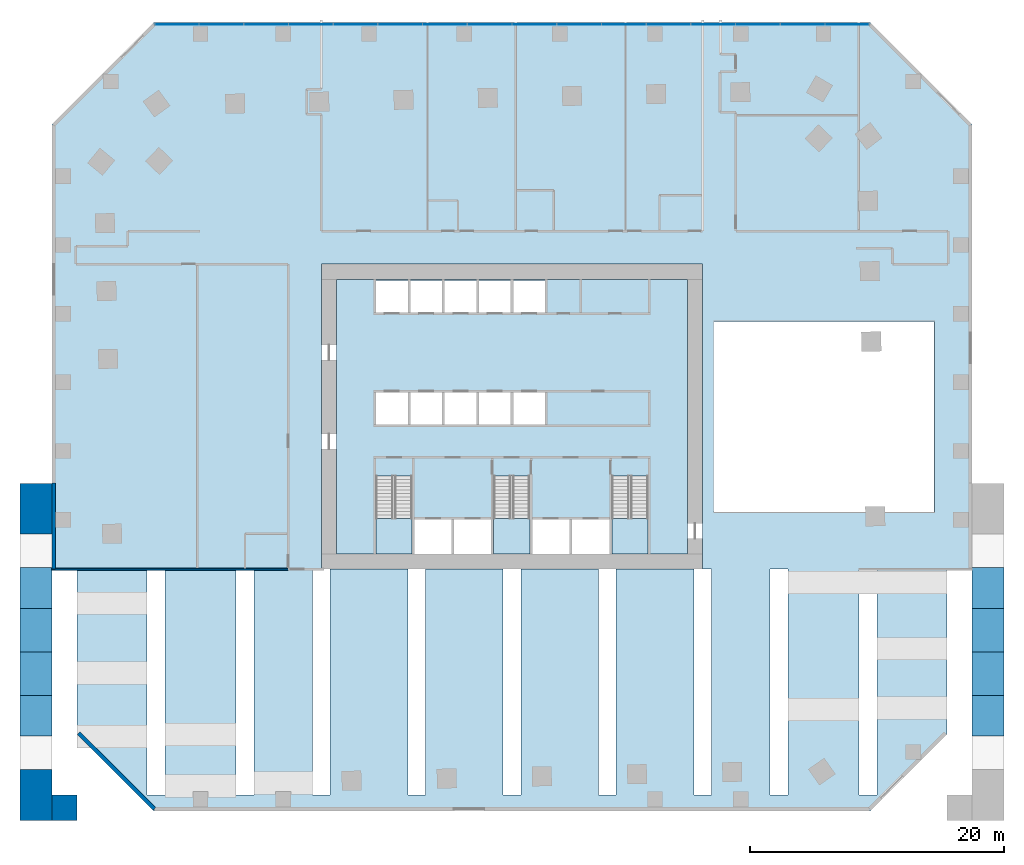
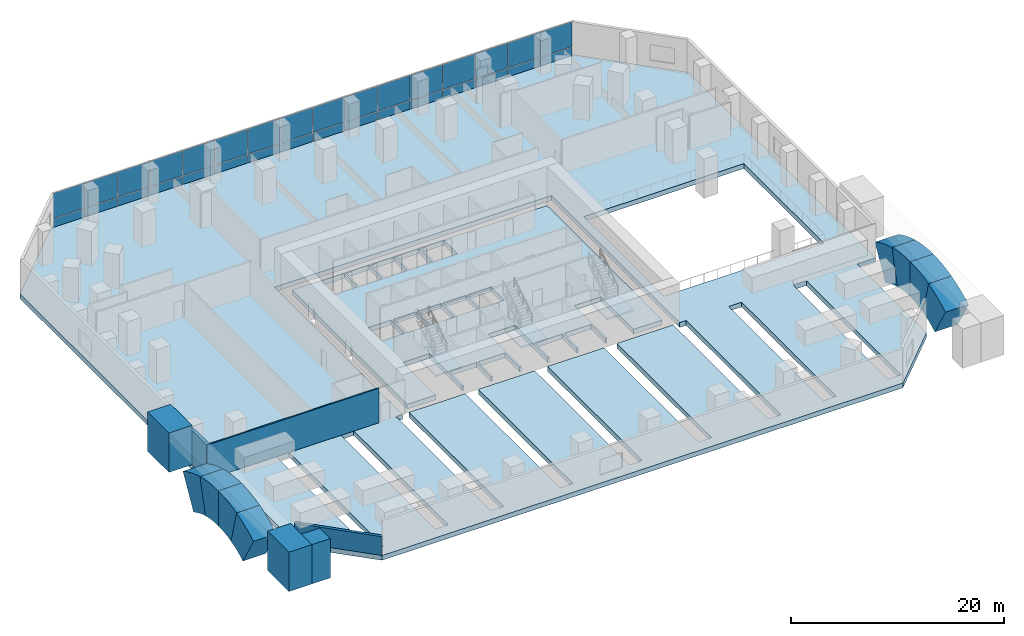
# One storey, part 6 of 13: 40 plates, 6 walls, 5 slabs, 4 elements without a shape of their own.
"""IFC4 building model written with IfcOpenShell, lengths in metres."""

from ifc_helpers import new_model, si_unit, direction, frame, frame_2d, origin, origin_2d, place, context, subcontext, project, spatial, polyline, rectangle, outline, extrude, material, layer, layer_set, type_object, element, aggregate, save


model = new_model("IFC4")

# Units and contexts
model_context = context("Model", 3, precision=1e-05, world=origin(), true_north=direction((0.0, 1.0)))
body_context = subcontext(model_context, "Body", "Model", "MODEL_VIEW")
ifc_project = project(units=[si_unit("LENGTHUNIT", "METRE"), si_unit("AREAUNIT", "SQUARE_METRE"), si_unit("VOLUMEUNIT", "CUBIC_METRE"), si_unit("PLANEANGLEUNIT", "RADIAN"), si_unit("MASSUNIT", "GRAM", prefix="KILO")], contexts=[model_context])

# Site, building, storey
site_placement = place(None, origin())
site = spatial("IfcSite", under=ifc_project, at=site_placement, CompositionType="ELEMENT")
building_placement = place(site_placement, origin())
building = spatial("IfcBuilding", under=site, at=building_placement, Name="Mangrove Gate Tower", CompositionType="ELEMENT")
storey_placement = place(building_placement, frame((0.0, 0.0, 20.5)))
storey = spatial("IfcBuildingStorey", under=building, at=storey_placement, Name="L04", CompositionType="ELEMENT", Elevation=20.5)

# Slab
ifc_material_1 = material(Name="Concrete C40/50", Category="concrete")
ifc_layer_1 = layer(ifc_material_1, 0.550048828125)
ifc_layer_set_1 = layer_set([ifc_layer_1], Name="Core floor slab 550 C40/50")
slab_type_1 = type_object("IfcSlabType", Name="Core floor slab 550 C40/50", PredefinedType="FLOOR", material=ifc_layer_set_1)
slab_1_placement = place(storey_placement, frame((0.0, 0.0, -0.550048828125)))
element("IfcSlab", 1, at=slab_1_placement, inside=storey, type_object=slab_type_1, Name="SLAB-L04-CORE-1", PredefinedType="FLOOR", context=body_context, shape_type="SweptSolid", body=[
    extrude(outline(polyline([(-13.800048828125, -10.800048828125), (-13.800048828125, 10.800048828125), (13.800048828125, 10.800048828125), (13.800048828125, -10.800048828125), (10.699951171875, -10.800048828125), (10.699951171875, -4.653076171875), (7.85009765625, -4.653076171875), (7.85009765625, -10.800048828125), (7.64990234375, -10.800048828125), (7.64990234375, -8.10009765625), (4.72509765625, -8.10009765625), (4.72509765625, -10.800048828125), (4.52490234375, -10.800048828125), (4.52490234375, -8.10009765625), (1.60009765625, -8.10009765625), (1.60009765625, -10.800048828125), (1.39990234375, -10.800048828125), (1.39990234375, -4.653076171875), (-1.449951171875, -4.653076171875), (-1.449951171875, -10.800048828125), (-1.64990234375, -10.800048828125), (-1.64990234375, -8.10009765625), (-4.550048828125, -8.10009765625), (-4.550048828125, -10.800048828125), (-4.75, -10.800048828125), (-4.75, -8.10009765625), (-7.64990234375, -8.10009765625), (-7.64990234375, -10.800048828125), (-7.85009765625, -10.800048828125), (-7.85009765625, -4.653076171875), (-10.699951171875, -4.653076171875), (-10.699951171875, -10.800048828125), (-13.800048828125, -10.800048828125)]), holes=[polyline([(-8.199951171875, -0.60009765625), (-8.199951171875, 1.89990234375), (-10.699951171875, 1.89990234375), (-10.699951171875, -0.60009765625), (-8.199951171875, -0.60009765625)]), polyline([(-5.5, -0.60009765625), (-5.5, 1.89990234375), (-8.0, 1.89990234375), (-8.0, -0.60009765625), (-5.5, -0.60009765625)]), polyline([(-2.800048828125, -0.60009765625), (-2.800048828125, 1.89990234375), (-5.300048828125, 1.89990234375), (-5.300048828125, -0.60009765625), (-2.800048828125, -0.60009765625)]), polyline([(-8.199951171875, 8.199951171875), (-8.199951171875, 10.699951171875), (-10.699951171875, 10.699951171875), (-10.699951171875, 8.199951171875), (-8.199951171875, 8.199951171875)]), polyline([(-5.5, 8.199951171875), (-5.5, 10.699951171875), (-8.0, 10.699951171875), (-8.0, 8.199951171875), (-5.5, 8.199951171875)]), polyline([(-2.800048828125, 8.199951171875), (-2.800048828125, 10.699951171875), (-5.300048828125, 10.699951171875), (-5.300048828125, 8.199951171875), (-2.800048828125, 8.199951171875)]), polyline([(-0.10009765625, -0.60009765625), (-0.10009765625, 1.89990234375), (-2.60009765625, 1.89990234375), (-2.60009765625, -0.60009765625), (-0.10009765625, -0.60009765625)]), polyline([(2.60009765625, -0.60009765625), (2.60009765625, 1.89990234375), (0.10009765625, 1.89990234375), (0.10009765625, -0.60009765625), (2.60009765625, -0.60009765625)]), polyline([(-2.60009765625, 8.199951171875), (-0.10009765625, 8.199951171875), (-0.10009765625, 10.699951171875), (-2.60009765625, 10.699951171875), (-2.60009765625, 8.199951171875)]), polyline([(0.10009765625, 8.199951171875), (2.60009765625, 8.199951171875), (2.60009765625, 10.699951171875), (0.10009765625, 10.699951171875), (0.10009765625, 8.199951171875)])]), origin(), (0.0, 0.0, 1.0), 0.550048828125),
])

# Stair, slab
ifc_material_2 = material(Name="Concrete C40/50", Category="concrete")
stair_type = type_object("IfcStairType", Name="Core stair 1350", PredefinedType="HALF_TURN_STAIR", material=ifc_material_2)
stair_1_placement = place(storey_placement, origin())
stair_1 = element("IfcStair", 2, at=stair_1_placement, inside=storey, type_object=stair_type, Name="L04 Stair 1", PredefinedType="HALF_TURN_STAIR")
ifc_material_3 = material(Name="Concrete C40/50", Category="concrete")
ifc_layer_2 = layer(ifc_material_3, 0.199951171875)
ifc_layer_set_2 = layer_set([ifc_layer_2], Name="Core stair landing 200")
slab_type_2 = type_object("IfcSlabType", Name="Core stair landing 200", PredefinedType="LANDING", material=ifc_layer_set_2)
slab_2_placement = place(storey_placement, frame((0.0, 0.0, 2.050048828125)))
slab_2 = element("IfcSlab", 3, at=slab_2_placement, type_object=slab_type_2, Name="ST1 landing 1", PredefinedType="LANDING", context=body_context, shape_type="SweptSolid", body=[
    extrude(outline(polyline([(-10.699951171875, -8.010009765625), (-10.699951171875, -10.800048828125), (-7.85009765625, -10.800048828125), (-7.85009765625, -8.010009765625), (-10.699951171875, -8.010009765625)])), origin(), (0.0, 0.0, 1.0), 0.199951171875),
])
aggregate(stair_1, [slab_2])

stair_2_placement = place(storey_placement, origin())
stair_2 = element("IfcStair", 4, at=stair_2_placement, inside=storey, type_object=stair_type, Name="L04 Stair 2", PredefinedType="HALF_TURN_STAIR")
slab_3_placement = place(storey_placement, frame((0.0, 0.0, 2.050048828125)))
slab_3 = element("IfcSlab", 5, at=slab_3_placement, type_object=slab_type_2, Name="ST2 landing 1", PredefinedType="LANDING", context=body_context, shape_type="SweptSolid", body=[
    extrude(outline(polyline([(-1.449951171875, -8.010009765625), (-1.449951171875, -10.800048828125), (1.39990234375, -10.800048828125), (1.39990234375, -8.010009765625), (-1.449951171875, -8.010009765625)])), origin(), (0.0, 0.0, 1.0), 0.199951171875),
])
aggregate(stair_2, [slab_3])

stair_3_placement = place(storey_placement, origin())
stair_3 = element("IfcStair", 6, at=stair_3_placement, inside=storey, type_object=stair_type, Name="L04 Stair 3", PredefinedType="HALF_TURN_STAIR")
slab_4_placement = place(storey_placement, frame((0.0, 0.0, 2.050048828125)))
slab_4 = element("IfcSlab", 7, at=slab_4_placement, type_object=slab_type_2, Name="ST3 landing 1", PredefinedType="LANDING", context=body_context, shape_type="SweptSolid", body=[
    extrude(outline(polyline([(7.85009765625, -8.010009765625), (7.85009765625, -10.800048828125), (10.699951171875, -10.800048828125), (10.699951171875, -8.010009765625), (7.85009765625, -8.010009765625)])), origin(), (0.0, 0.0, 1.0), 0.199951171875),
])
aggregate(stair_3, [slab_4])

# Slab
ifc_material_4 = material(Name="Concrete C40/50", Category="concrete")
ifc_layer_3 = layer(ifc_material_4, 0.550048828125)
ifc_layer_set_3 = layer_set([ifc_layer_3], Name="Floor slab 550 C40/50")
slab_type_3 = type_object("IfcSlabType", Name="Floor slab 550 C40/50", PredefinedType="FLOOR", material=ifc_layer_set_3)
slab_5_placement = place(storey_placement, frame((0.0, 0.0, -0.550048828125)))
element("IfcSlab", 8, at=slab_5_placement, inside=storey, type_object=slab_type_3, Name="Floor slab L04", PredefinedType="FLOOR", context=body_context, shape_type="SweptSolid", body=[
    extrude(outline(polyline([(-34.199951171875, -12.0), (-34.199951171875, -25.0), (-28.199951171875, -31.0), (28.199951171875, -31.0), (34.199951171875, -25.0), (34.199951171875, -12.0), (36.199951171875, -12.0), (36.199951171875, 23.0), (28.199951171875, 31.0), (-28.199951171875, 31.0), (-36.199951171875, 23.0), (-36.199951171875, -12.0), (-34.199951171875, -12.0)]), holes=[polyline([(15.89990234375, 7.5), (33.199951171875, 7.5), (33.199951171875, -7.5), (15.89990234375, -7.5), (15.89990234375, 7.5)]), polyline([(28.699951171875, -29.75), (27.300048828125, -29.75), (27.300048828125, -12.0), (28.699951171875, -12.0), (28.699951171875, -29.75)]), polyline([(21.699951171875, -12.0), (21.699951171875, -29.75), (20.300048828125, -29.75), (20.300048828125, -12.0), (21.699951171875, -12.0)]), polyline([(-14.300048828125, -29.75), (-15.699951171875, -29.75), (-15.699951171875, -12.0), (-15.0, -12.0), (-15.0, 12.0), (15.0, 12.0), (15.0, -12.0), (15.699951171875, -12.0), (15.699951171875, -29.75), (14.300048828125, -29.75), (14.300048828125, -12.0), (8.199951171875, -12.0), (8.199951171875, -29.75), (6.800048828125, -29.75), (6.800048828125, -12.0), (0.699951171875, -12.0), (0.699951171875, -29.75), (-0.699951171875, -29.75), (-0.699951171875, -12.0), (-6.800048828125, -12.0), (-6.800048828125, -29.75), (-8.199951171875, -29.75), (-8.199951171875, -12.0), (-14.300048828125, -12.0), (-14.300048828125, -29.75)]), polyline([(-20.300048828125, -12.0), (-20.300048828125, -29.75), (-21.699951171875, -29.75), (-21.699951171875, -12.0), (-20.300048828125, -12.0)]), polyline([(-27.300048828125, -12.0), (-27.300048828125, -29.75), (-28.699951171875, -29.75), (-28.699951171875, -12.0), (-27.300048828125, -12.0)])]), origin(), (0.0, 0.0, 1.0), 0.550048828125),
])

# Plates
ifc_material_5 = material(Name="Limestone cladding", Category="masonry")
ifc_layer_4 = layer(ifc_material_5, 2.5)
ifc_layer_set_4 = layer_set([ifc_layer_4], Name="Limestone arch panel")
plate_type_1 = type_object("IfcPlateType", Name="Limestone arch panel", PredefinedType="SHEET", material=ifc_layer_set_4)
plate_1_placement = place(storey_placement, frame((38.699951171875, -13.875, -1.739013671875), z_axis=(1.0, 0.0, 0.0), x_axis=(0.0, 0.49999894854, 0.866026010844)))
element("IfcPlate", 9, at=plate_1_placement, inside=storey, type_object=plate_type_1, Name="ARCH STONE E 5", PredefinedType="SHEET", context=body_context, shape_type="SweptSolid", body=[
    extrude(outline(polyline([(0.0, 0.0), (4.000008412, 0.0), (3.971711747, 0.866884212), (3.886295103, 1.728699282), (3.745425991, 2.584998402), (3.548585761, 3.429843947), (-0.315205552, 2.394101979), (-0.178220016, 1.804783885), (-0.079231528, 1.207059885), (-0.020225915, 0.604857827), (0.0, 0.0)])), origin(), (0.0, 0.0, -1.0), 2.5),
])
plate_2_placement = place(storey_placement, frame((38.699951171875, -16.10595703125, -0.81494140625), z_axis=(1.0, 0.0, 0.0), x_axis=(0.0, 0.25871473031, 0.965953771317)))
element("IfcPlate", 10, at=plate_2_placement, inside=storey, type_object=plate_type_1, Name="ARCH STONE E 6", PredefinedType="SHEET", context=body_context, shape_type="SweptSolid", body=[
    extrude(outline(polyline([(0.0, 0.0), (4.000205586, 0.0), (3.971222201, 0.865979032), (3.886789901, 1.729491527), (3.745830477, 2.58418281), (3.548659743, 3.428873737), (-0.315155342, 2.394014815), (-0.177975925, 1.804452302), (-0.07928703, 1.207613688), (-0.020111958, 0.604488626), (0.0, 0.0)])), origin(), (0.0, 0.0, -1.0), 2.5),
])
plate_3_placement = place(storey_placement, frame((38.699951171875, -18.5, -0.5), z_axis=(1.0, 0.0, 0.0), x_axis=(0.0, 0.0, 1.0)))
element("IfcPlate", 11, at=plate_3_placement, inside=storey, type_object=plate_type_1, Name="ARCH STONE E 7", PredefinedType="SHEET", context=body_context, shape_type="SweptSolid", body=[
    extrude(outline(polyline([(0.0, 0.0), (4.0, 0.0), (3.971923828, 0.866943359), (3.886962891, 1.729003906), (3.745117188, 2.584960938), (3.549072266, 3.428955078), (-0.314941406, 2.394042969), (-0.177978516, 1.804931641), (-0.079101562, 1.20703125), (-0.020019531, 0.604980469), (0.0, 0.0)])), origin(), (0.0, 0.0, -1.0), 2.5),
])
plate_4_placement = place(storey_placement, frame((38.699951171875, -20.89404296875, -0.81494140625), z_axis=(1.0, 0.0, 0.0), x_axis=(0.0, -0.25871473031, 0.965953771317)))
element("IfcPlate", 12, at=plate_4_placement, inside=storey, type_object=plate_type_1, Name="ARCH STONE E 8", PredefinedType="SHEET", context=body_context, shape_type="SweptSolid", body=[
    extrude(outline(polyline([(0.0, 0.0), (4.000205586, 0.0), (3.971583953, 0.86700108), (3.885934335, 1.730572983), (3.745295076, 2.585114859), (3.548171219, 3.42976338), (-0.315429643, 2.394072465), (-0.178354708, 1.80460445), (-0.07942465, 1.207660714), (-0.020273448, 0.604689871), (0.0, 0.0)])), origin(), (0.0, 0.0, -1.0), 2.5),
])
plate_5_placement = place(storey_placement, frame((-38.699951171875, -14.408935546875, -1.4541015625), z_axis=(-1.0, 0.0, 0.0), x_axis=(0.0, -0.910656428264, 0.413164458371)))
element("IfcPlate", 13, at=plate_5_placement, inside=storey, type_object=plate_type_1, Name="ARCH STONE W 5", PredefinedType="SHEET", context=body_context, shape_type="SweptSolid", body=[
    extrude(outline(polyline([(0.0, 0.0), (0.605085929, 0.0), (1.209614116, -0.040228998), (1.809481783, -0.119093657), (2.463505534, 3.827284133), (1.603491477, 3.940800179), (0.737536518, 3.997494961), (-0.128500594, 3.99846367), (-0.994012571, 3.942090313), (-0.603947395, -0.038853853), (0.0, 0.0)])), origin(), (0.0, 0.0, -1.0), 2.5),
])
plate_6_placement = place(storey_placement, frame((-38.699951171875, -16.695068359375, -0.677978515625), z_axis=(-1.0, 0.0, 0.0), x_axis=(0.0, -0.986600016058, 0.163157618009)))
element("IfcPlate", 14, at=plate_6_placement, inside=storey, type_object=plate_type_1, Name="ARCH STONE W 6", PredefinedType="SHEET", context=body_context, shape_type="SweptSolid", body=[
    extrude(outline(polyline([(0.0, 0.0), (0.606021063, 0.0), (1.209644057, -0.039938838), (1.809784136, -0.118894741), (2.462414608, 3.827505323), (1.602507435, 3.941253785), (0.738136461, 3.998083068), (-0.129493967, 3.997794006), (-0.994164822, 3.942080156), (-0.603563785, -0.039009589), (0.0, 0.0)])), origin(), (0.0, 0.0, -1.0), 2.5),
])
plate_7_placement = place(storey_placement, frame((-38.699951171875, -19.10498046875, -0.52001953125), z_axis=(-1.0, 0.0, 0.0), x_axis=(0.0, -0.995219299586, -0.09766547871)))
element("IfcPlate", 15, at=plate_7_placement, inside=storey, type_object=plate_type_1, Name="ARCH STONE W 7", PredefinedType="SHEET", context=body_context, shape_type="SweptSolid", body=[
    extrude(outline(polyline([(0.0, 0.0), (0.604942832, 0.0), (1.209641705, -0.040010024), (1.809313214, -0.118782296), (2.461896974, 3.82783387), (1.602790895, 3.940512468), (0.73707251, 3.998082596), (-0.129164535, 3.998443805), (-0.99470537, 3.941715315), (-0.604043455, -0.039161883), (0.0, 0.0)])), origin(), (0.0, 0.0, -1.0), 2.5),
])
plate_8_placement = place(storey_placement, frame((-38.699951171875, -21.472900390625, -0.990966796875), z_axis=(-1.0, 0.0, 0.0), x_axis=(0.0, -0.936080542077, -0.351785756881)))
element("IfcPlate", 16, at=plate_8_placement, inside=storey, type_object=plate_type_1, Name="ARCH STONE W 8", PredefinedType="SHEET", context=body_context, shape_type="SweptSolid", body=[
    extrude(outline(polyline([(0.0, 0.0), (0.60586525, 0.0), (1.209615836, -0.040177251), (1.809650534, -0.119047013), (2.463186593, 3.827211711), (1.603327833, 3.940930005), (0.739137625, 3.997467648), (-0.128670778, 3.998396743), (-0.99432428, 3.942235499), (-0.603780395, -0.038859853), (0.0, 0.0)])), origin(), (0.0, 0.0, -1.0), 2.5),
])

# Curtain wall, plates
ifc_material_6 = material(Name="Aluminium and glass curtain wall", Category="aluminium")
curtain_wall_type = type_object("IfcCurtainWallType", Name="Podium amenity glazing wall", PredefinedType="NOTDEFINED", material=ifc_material_6)
curtain_wall_placement = place(storey_placement, origin())
curtain_wall = element("IfcCurtainWall", 17, at=curtain_wall_placement, inside=storey, type_object=curtain_wall_type, Name="Podium amenity glazing N3", PredefinedType="NOTDEFINED")
ifc_material_7 = material(Name="Laminated low-e glass", Category="glass")
ifc_layer_5 = layer(ifc_material_7, 0.028076171875)
ifc_layer_set_5 = layer_set([ifc_layer_5], Name="Podium amenity glazing panel 28")
plate_type_2 = type_object("IfcPlateType", Name="Podium amenity glazing panel 28", PredefinedType="CURTAIN_PANEL", material=ifc_layer_set_5)
plate_9_placement = place(storey_placement, frame((26.3642578125, 30.85009765625, 0.0), z_axis=(0.0, 0.0, 1.0), x_axis=(-1.0, 0.0, 0.0)))
plate_9 = element("IfcPlate", 18, at=plate_9_placement, type_object=plate_type_2, Name="CWP panel 1.1", PredefinedType="CURTAIN_PANEL", context=body_context, shape_type="SweptSolid", body=[
    extrude(rectangle(XDim=3.42724609375, YDim=0.028076171875, at=origin_2d()), origin(), (0.0, 0.0, 1.0), 0.969970703125),
])
plate_10_placement = place(storey_placement, frame((26.3642578125, 30.85009765625, 1.02978515625), z_axis=(0.0, 0.0, 1.0), x_axis=(-1.0, 0.0, 0.0)))
plate_10 = element("IfcPlate", 19, at=plate_10_placement, type_object=plate_type_2, Name="CWP panel 1.2", PredefinedType="CURTAIN_PANEL", context=body_context, shape_type="SweptSolid", body=[
    extrude(rectangle(XDim=3.42724609375, YDim=0.028076171875, at=origin_2d()), origin(), (0.0, 0.0, 1.0), 2.860107421875),
])
plate_11_placement = place(storey_placement, frame((22.862060546875, 30.85009765625, 0.0), z_axis=(0.0, 0.0, 1.0), x_axis=(-1.0, 0.0, 0.0)))
plate_11 = element("IfcPlate", 20, at=plate_11_placement, type_object=plate_type_2, Name="CWP panel 2.1", PredefinedType="CURTAIN_PANEL", context=body_context, shape_type="SweptSolid", body=[
    extrude(rectangle(XDim=3.457275390625, YDim=0.028076171875, at=origin_2d()), origin(), (0.0, 0.0, 1.0), 0.969970703125),
])
plate_12_placement = place(storey_placement, frame((22.862060546875, 30.85009765625, 1.02978515625), z_axis=(0.0, 0.0, 1.0), x_axis=(-1.0, 0.0, 0.0)))
plate_12 = element("IfcPlate", 21, at=plate_12_placement, type_object=plate_type_2, Name="CWP panel 2.2", PredefinedType="CURTAIN_PANEL", context=body_context, shape_type="SweptSolid", body=[
    extrude(rectangle(XDim=3.457275390625, YDim=0.028076171875, at=origin_2d()), origin(), (0.0, 0.0, 1.0), 2.860107421875),
])
plate_13_placement = place(storey_placement, frame((19.3447265625, 30.85009765625, 0.0), z_axis=(0.0, 0.0, 1.0), x_axis=(-1.0, 0.0, 0.0)))
plate_13 = element("IfcPlate", 22, at=plate_13_placement, type_object=plate_type_2, Name="CWP panel 3.1", PredefinedType="CURTAIN_PANEL", context=body_context, shape_type="SweptSolid", body=[
    extrude(rectangle(XDim=3.457275390625, YDim=0.028076171875, at=origin_2d()), origin(), (0.0, 0.0, 1.0), 0.969970703125),
])
plate_14_placement = place(storey_placement, frame((19.3447265625, 30.85009765625, 1.02978515625), z_axis=(0.0, 0.0, 1.0), x_axis=(-1.0, 0.0, 0.0)))
plate_14 = element("IfcPlate", 23, at=plate_14_placement, type_object=plate_type_2, Name="CWP panel 3.2", PredefinedType="CURTAIN_PANEL", context=body_context, shape_type="SweptSolid", body=[
    extrude(rectangle(XDim=3.457275390625, YDim=0.028076171875, at=origin_2d()), origin(), (0.0, 0.0, 1.0), 2.860107421875),
])
plate_15_placement = place(storey_placement, frame((15.82763671875, 30.85009765625, 0.0), z_axis=(0.0, 0.0, 1.0), x_axis=(-1.0, 0.0, 0.0)))
plate_15 = element("IfcPlate", 24, at=plate_15_placement, type_object=plate_type_2, Name="CWP panel 4.1", PredefinedType="CURTAIN_PANEL", context=body_context, shape_type="SweptSolid", body=[
    extrude(rectangle(XDim=3.457275390625, YDim=0.028076171875, at=origin_2d()), origin(), (0.0, 0.0, 1.0), 0.969970703125),
])
plate_16_placement = place(storey_placement, frame((15.82763671875, 30.85009765625, 1.02978515625), z_axis=(0.0, 0.0, 1.0), x_axis=(-1.0, 0.0, 0.0)))
plate_16 = element("IfcPlate", 25, at=plate_16_placement, type_object=plate_type_2, Name="CWP panel 4.2", PredefinedType="CURTAIN_PANEL", context=body_context, shape_type="SweptSolid", body=[
    extrude(rectangle(XDim=3.457275390625, YDim=0.028076171875, at=origin_2d()), origin(), (0.0, 0.0, 1.0), 2.860107421875),
])
plate_17_placement = place(storey_placement, frame((12.310302734375, 30.85009765625, 0.0), z_axis=(0.0, 0.0, 1.0), x_axis=(-1.0, 0.0, 0.0)))
plate_17 = element("IfcPlate", 26, at=plate_17_placement, type_object=plate_type_2, Name="CWP panel 5.1", PredefinedType="CURTAIN_PANEL", context=body_context, shape_type="SweptSolid", body=[
    extrude(rectangle(XDim=3.457275390625, YDim=0.028076171875, at=origin_2d()), origin(), (0.0, 0.0, 1.0), 0.969970703125),
])
plate_18_placement = place(storey_placement, frame((12.310302734375, 30.85009765625, 1.02978515625), z_axis=(0.0, 0.0, 1.0), x_axis=(-1.0, 0.0, 0.0)))
plate_18 = element("IfcPlate", 27, at=plate_18_placement, type_object=plate_type_2, Name="CWP panel 5.2", PredefinedType="CURTAIN_PANEL", context=body_context, shape_type="SweptSolid", body=[
    extrude(rectangle(XDim=3.457275390625, YDim=0.028076171875, at=origin_2d()), origin(), (0.0, 0.0, 1.0), 2.860107421875),
])
plate_19_placement = place(storey_placement, frame((8.79296875, 30.85009765625, 0.0), z_axis=(0.0, 0.0, 1.0), x_axis=(-1.0, 0.0, 0.0)))
plate_19 = element("IfcPlate", 28, at=plate_19_placement, type_object=plate_type_2, Name="CWP panel 6.1", PredefinedType="CURTAIN_PANEL", context=body_context, shape_type="SweptSolid", body=[
    extrude(rectangle(XDim=3.457275390625, YDim=0.028076171875, at=origin_2d()), origin(), (0.0, 0.0, 1.0), 0.969970703125),
])
plate_20_placement = place(storey_placement, frame((8.79296875, 30.85009765625, 1.02978515625), z_axis=(0.0, 0.0, 1.0), x_axis=(-1.0, 0.0, 0.0)))
plate_20 = element("IfcPlate", 29, at=plate_20_placement, type_object=plate_type_2, Name="CWP panel 6.2", PredefinedType="CURTAIN_PANEL", context=body_context, shape_type="SweptSolid", body=[
    extrude(rectangle(XDim=3.457275390625, YDim=0.028076171875, at=origin_2d()), origin(), (0.0, 0.0, 1.0), 2.860107421875),
])
plate_21_placement = place(storey_placement, frame((5.27587890625, 30.85009765625, 0.0), z_axis=(0.0, 0.0, 1.0), x_axis=(-1.0, 0.0, 0.0)))
plate_21 = element("IfcPlate", 30, at=plate_21_placement, type_object=plate_type_2, Name="CWP panel 7.1", PredefinedType="CURTAIN_PANEL", context=body_context, shape_type="SweptSolid", body=[
    extrude(rectangle(XDim=3.457275390625, YDim=0.028076171875, at=origin_2d()), origin(), (0.0, 0.0, 1.0), 0.969970703125),
])
plate_22_placement = place(storey_placement, frame((5.27587890625, 30.85009765625, 1.02978515625), z_axis=(0.0, 0.0, 1.0), x_axis=(-1.0, 0.0, 0.0)))
plate_22 = element("IfcPlate", 31, at=plate_22_placement, type_object=plate_type_2, Name="CWP panel 7.2", PredefinedType="CURTAIN_PANEL", context=body_context, shape_type="SweptSolid", body=[
    extrude(rectangle(XDim=3.457275390625, YDim=0.028076171875, at=origin_2d()), origin(), (0.0, 0.0, 1.0), 2.860107421875),
])
plate_23_placement = place(storey_placement, frame((1.758544921875, 30.85009765625, 0.0), z_axis=(0.0, 0.0, 1.0), x_axis=(-1.0, 0.0, 0.0)))
plate_23 = element("IfcPlate", 32, at=plate_23_placement, type_object=plate_type_2, Name="CWP panel 8.1", PredefinedType="CURTAIN_PANEL", context=body_context, shape_type="SweptSolid", body=[
    extrude(rectangle(XDim=3.457275390625, YDim=0.028076171875, at=origin_2d()), origin(), (0.0, 0.0, 1.0), 0.969970703125),
])
plate_24_placement = place(storey_placement, frame((1.758544921875, 30.85009765625, 1.02978515625), z_axis=(0.0, 0.0, 1.0), x_axis=(-1.0, 0.0, 0.0)))
plate_24 = element("IfcPlate", 33, at=plate_24_placement, type_object=plate_type_2, Name="CWP panel 8.2", PredefinedType="CURTAIN_PANEL", context=body_context, shape_type="SweptSolid", body=[
    extrude(rectangle(XDim=3.457275390625, YDim=0.028076171875, at=origin_2d()), origin(), (0.0, 0.0, 1.0), 2.860107421875),
])
plate_25_placement = place(storey_placement, frame((-1.758544921875, 30.85009765625, 0.0), z_axis=(0.0, 0.0, 1.0), x_axis=(-1.0, 0.0, 0.0)))
plate_25 = element("IfcPlate", 34, at=plate_25_placement, type_object=plate_type_2, Name="CWP panel 9.1", PredefinedType="CURTAIN_PANEL", context=body_context, shape_type="SweptSolid", body=[
    extrude(rectangle(XDim=3.457275390625, YDim=0.028076171875, at=origin_2d()), origin(), (0.0, 0.0, 1.0), 0.969970703125),
])
plate_26_placement = place(storey_placement, frame((-1.758544921875, 30.85009765625, 1.02978515625), z_axis=(0.0, 0.0, 1.0), x_axis=(-1.0, 0.0, 0.0)))
plate_26 = element("IfcPlate", 35, at=plate_26_placement, type_object=plate_type_2, Name="CWP panel 9.2", PredefinedType="CURTAIN_PANEL", context=body_context, shape_type="SweptSolid", body=[
    extrude(rectangle(XDim=3.457275390625, YDim=0.028076171875, at=origin_2d()), origin(), (0.0, 0.0, 1.0), 2.860107421875),
])
plate_27_placement = place(storey_placement, frame((-5.27587890625, 30.85009765625, 0.0), z_axis=(0.0, 0.0, 1.0), x_axis=(-1.0, 0.0, 0.0)))
plate_27 = element("IfcPlate", 36, at=plate_27_placement, type_object=plate_type_2, Name="CWP panel 10.1", PredefinedType="CURTAIN_PANEL", context=body_context, shape_type="SweptSolid", body=[
    extrude(rectangle(XDim=3.457275390625, YDim=0.028076171875, at=origin_2d()), origin(), (0.0, 0.0, 1.0), 0.969970703125),
])
plate_28_placement = place(storey_placement, frame((-5.27587890625, 30.85009765625, 1.02978515625), z_axis=(0.0, 0.0, 1.0), x_axis=(-1.0, 0.0, 0.0)))
plate_28 = element("IfcPlate", 37, at=plate_28_placement, type_object=plate_type_2, Name="CWP panel 10.2", PredefinedType="CURTAIN_PANEL", context=body_context, shape_type="SweptSolid", body=[
    extrude(rectangle(XDim=3.457275390625, YDim=0.028076171875, at=origin_2d()), origin(), (0.0, 0.0, 1.0), 2.860107421875),
])
plate_29_placement = place(storey_placement, frame((-8.79296875, 30.85009765625, 0.0), z_axis=(0.0, 0.0, 1.0), x_axis=(-1.0, 0.0, 0.0)))
plate_29 = element("IfcPlate", 38, at=plate_29_placement, type_object=plate_type_2, Name="CWP panel 11.1", PredefinedType="CURTAIN_PANEL", context=body_context, shape_type="SweptSolid", body=[
    extrude(rectangle(XDim=3.457275390625, YDim=0.028076171875, at=origin_2d()), origin(), (0.0, 0.0, 1.0), 0.969970703125),
])
plate_30_placement = place(storey_placement, frame((-8.79296875, 30.85009765625, 1.02978515625), z_axis=(0.0, 0.0, 1.0), x_axis=(-1.0, 0.0, 0.0)))
plate_30 = element("IfcPlate", 39, at=plate_30_placement, type_object=plate_type_2, Name="CWP panel 11.2", PredefinedType="CURTAIN_PANEL", context=body_context, shape_type="SweptSolid", body=[
    extrude(rectangle(XDim=3.457275390625, YDim=0.028076171875, at=origin_2d()), origin(), (0.0, 0.0, 1.0), 2.860107421875),
])
plate_31_placement = place(storey_placement, frame((-12.310302734375, 30.85009765625, 0.0), z_axis=(0.0, 0.0, 1.0), x_axis=(-1.0, 0.0, 0.0)))
plate_31 = element("IfcPlate", 40, at=plate_31_placement, type_object=plate_type_2, Name="CWP panel 12.1", PredefinedType="CURTAIN_PANEL", context=body_context, shape_type="SweptSolid", body=[
    extrude(rectangle(XDim=3.457275390625, YDim=0.028076171875, at=origin_2d()), origin(), (0.0, 0.0, 1.0), 0.969970703125),
])
plate_32_placement = place(storey_placement, frame((-12.310302734375, 30.85009765625, 1.02978515625), z_axis=(0.0, 0.0, 1.0), x_axis=(-1.0, 0.0, 0.0)))
plate_32 = element("IfcPlate", 41, at=plate_32_placement, type_object=plate_type_2, Name="CWP panel 12.2", PredefinedType="CURTAIN_PANEL", context=body_context, shape_type="SweptSolid", body=[
    extrude(rectangle(XDim=3.457275390625, YDim=0.028076171875, at=origin_2d()), origin(), (0.0, 0.0, 1.0), 2.860107421875),
])
plate_33_placement = place(storey_placement, frame((-15.82763671875, 30.85009765625, 0.0), z_axis=(0.0, 0.0, 1.0), x_axis=(-1.0, 0.0, 0.0)))
plate_33 = element("IfcPlate", 42, at=plate_33_placement, type_object=plate_type_2, Name="CWP panel 13.1", PredefinedType="CURTAIN_PANEL", context=body_context, shape_type="SweptSolid", body=[
    extrude(rectangle(XDim=3.457275390625, YDim=0.028076171875, at=origin_2d()), origin(), (0.0, 0.0, 1.0), 0.969970703125),
])
plate_34_placement = place(storey_placement, frame((-15.82763671875, 30.85009765625, 1.02978515625), z_axis=(0.0, 0.0, 1.0), x_axis=(-1.0, 0.0, 0.0)))
plate_34 = element("IfcPlate", 43, at=plate_34_placement, type_object=plate_type_2, Name="CWP panel 13.2", PredefinedType="CURTAIN_PANEL", context=body_context, shape_type="SweptSolid", body=[
    extrude(rectangle(XDim=3.457275390625, YDim=0.028076171875, at=origin_2d()), origin(), (0.0, 0.0, 1.0), 2.860107421875),
])
plate_35_placement = place(storey_placement, frame((-19.3447265625, 30.85009765625, 0.0), z_axis=(0.0, 0.0, 1.0), x_axis=(-1.0, 0.0, 0.0)))
plate_35 = element("IfcPlate", 44, at=plate_35_placement, type_object=plate_type_2, Name="CWP panel 14.1", PredefinedType="CURTAIN_PANEL", context=body_context, shape_type="SweptSolid", body=[
    extrude(rectangle(XDim=3.457275390625, YDim=0.028076171875, at=origin_2d()), origin(), (0.0, 0.0, 1.0), 0.969970703125),
])
plate_36_placement = place(storey_placement, frame((-19.3447265625, 30.85009765625, 1.02978515625), z_axis=(0.0, 0.0, 1.0), x_axis=(-1.0, 0.0, 0.0)))
plate_36 = element("IfcPlate", 45, at=plate_36_placement, type_object=plate_type_2, Name="CWP panel 14.2", PredefinedType="CURTAIN_PANEL", context=body_context, shape_type="SweptSolid", body=[
    extrude(rectangle(XDim=3.457275390625, YDim=0.028076171875, at=origin_2d()), origin(), (0.0, 0.0, 1.0), 2.860107421875),
])
plate_37_placement = place(storey_placement, frame((-22.862060546875, 30.85009765625, 0.0), z_axis=(0.0, 0.0, 1.0), x_axis=(-1.0, 0.0, 0.0)))
plate_37 = element("IfcPlate", 46, at=plate_37_placement, type_object=plate_type_2, Name="CWP panel 15.1", PredefinedType="CURTAIN_PANEL", context=body_context, shape_type="SweptSolid", body=[
    extrude(rectangle(XDim=3.457275390625, YDim=0.028076171875, at=origin_2d()), origin(), (0.0, 0.0, 1.0), 0.969970703125),
])
plate_38_placement = place(storey_placement, frame((-22.862060546875, 30.85009765625, 1.02978515625), z_axis=(0.0, 0.0, 1.0), x_axis=(-1.0, 0.0, 0.0)))
plate_38 = element("IfcPlate", 47, at=plate_38_placement, type_object=plate_type_2, Name="CWP panel 15.2", PredefinedType="CURTAIN_PANEL", context=body_context, shape_type="SweptSolid", body=[
    extrude(rectangle(XDim=3.457275390625, YDim=0.028076171875, at=origin_2d()), origin(), (0.0, 0.0, 1.0), 2.860107421875),
])
plate_39_placement = place(storey_placement, frame((-26.3642578125, 30.85009765625, 0.0), z_axis=(0.0, 0.0, 1.0), x_axis=(-1.0, 0.0, 0.0)))
plate_39 = element("IfcPlate", 48, at=plate_39_placement, type_object=plate_type_2, Name="CWP panel 16.1", PredefinedType="CURTAIN_PANEL", context=body_context, shape_type="SweptSolid", body=[
    extrude(rectangle(XDim=3.42724609375, YDim=0.028076171875, at=origin_2d()), origin(), (0.0, 0.0, 1.0), 0.969970703125),
])
plate_40_placement = place(storey_placement, frame((-26.3642578125, 30.85009765625, 1.02978515625), z_axis=(0.0, 0.0, 1.0), x_axis=(-1.0, 0.0, 0.0)))
plate_40 = element("IfcPlate", 49, at=plate_40_placement, type_object=plate_type_2, Name="CWP panel 16.2", PredefinedType="CURTAIN_PANEL", context=body_context, shape_type="SweptSolid", body=[
    extrude(rectangle(XDim=3.42724609375, YDim=0.028076171875, at=origin_2d()), origin(), (0.0, 0.0, 1.0), 2.860107421875),
])
aggregate(curtain_wall, [plate_9, plate_10, plate_11, plate_12, plate_13, plate_14, plate_15, plate_16, plate_17, plate_18, plate_19, plate_20, plate_21, plate_22, plate_23, plate_24, plate_25, plate_26, plate_27, plate_28, plate_29, plate_30, plate_31, plate_32, plate_33, plate_34, plate_35, plate_36, plate_37, plate_38, plate_39, plate_40])

# Walls
ifc_material_8 = material(Name="Limestone", Category="masonry")
ifc_layer_6 = layer(ifc_material_8, 0.0400390625, Name="Limestone cladding")
ifc_material_9 = material(Name="Ventilated air gap")
ifc_layer_7 = layer(ifc_material_9, 0.0400390625, Name="Ventilated cavity")
ifc_material_10 = material(Name="Mineral wool insulation")
ifc_layer_8 = layer(ifc_material_10, 0.06005859375, Name="Insulation")
ifc_material_11 = material(Name="Breather membrane")
ifc_layer_9 = layer(ifc_material_11, 0.001953125, Name="Breather membrane")
ifc_material_12 = material(Name="Concrete C20/25 blockwork", Category="masonry")
ifc_layer_10 = layer(ifc_material_12, 0.14990234375, Name="Blockwork backing wall")
ifc_material_13 = material(Name="Gypsum plaster")
ifc_layer_11 = layer(ifc_material_13, 0.008056640625, Name="Internal plaster")
ifc_layer_set_6 = layer_set([ifc_layer_6, ifc_layer_7, ifc_layer_8, ifc_layer_9, ifc_layer_10, ifc_layer_11], Name="External wall 300 limestone cladding")
wall_type_1 = type_object("IfcWallType", Name="External wall 300 limestone cladding", PredefinedType="SOLIDWALL", material=ifc_layer_set_6)
wall_1_placement = place(storey_placement, frame((-36.050048828125, -5.236083984375, 0.0), z_axis=(0.0, 0.0, 1.0), x_axis=(0.0, -1.0, 0.0)))
element("IfcWall", 50, at=wall_1_placement, inside=storey, type_object=wall_type_1, Name="WALL-L04-W3050s1", PredefinedType="SOLIDWALL", context=body_context, shape_type="SweptSolid", body=[
    extrude(rectangle(XDim=6.763916015625, YDim=0.300048828125, at=frame_2d((3.3818359375, 0.0))), origin(), (0.0, 0.0, 1.0), 3.949951171875),
])
wall_2_placement = place(storey_placement, frame((-34.093994140625, -24.89404296875, 0.0), z_axis=(0.0, 0.0, 1.0), x_axis=(0.707106781187, -0.707106781187, 0.0)))
element("IfcWall", 51, at=wall_2_placement, inside=storey, type_object=wall_type_1, Name="WALL-L04-S6s1", PredefinedType="SOLIDWALL", context=body_context, shape_type="SweptSolid", body=[
    extrude(rectangle(XDim=8.423095703125, YDim=0.300048828125, at=frame_2d((4.21142578125, 0.0))), origin(), (0.0, 0.0, 1.0), 2.14990234375),
])
ifc_material_14 = material(Name="Gypsum board on steel stud, EI 60", Category="steel")
ifc_layer_12 = layer(ifc_material_14, 0.14990234375)
ifc_layer_set_7 = layer_set([ifc_layer_12], Name="Party wall 150 EI 60")
wall_type_2 = type_object("IfcWallType", Name="Party wall 150 EI 60", PredefinedType="PARTITIONING", material=ifc_layer_set_7)
wall_3_placement = place(storey_placement, frame((-36.199951171875, -12.0, 0.0), z_axis=(0.0, 0.0, 1.0), x_axis=(1.0, 0.0, 0.0)))
element("IfcWall", 52, at=wall_3_placement, inside=storey, type_object=wall_type_2, Name="WALL-L04-001", PredefinedType="PARTITIONING", context=body_context, shape_type="SweptSolid", body=[
    extrude(rectangle(XDim=18.60400390625, YDim=0.14990234375, at=frame_2d((9.302001953125, 0.0))), origin(), (0.0, 0.0, 1.0), 3.949951171875),
])
ifc_layer_13 = layer(ifc_material_8, 0.06005859375, Name="Limestone cladding")
ifc_material_15 = material(Name="Concrete C40/50", Category="concrete")
ifc_layer_14 = layer(ifc_material_15, 2.340087890625, Name="Gate core wall")
ifc_layer_15 = layer(ifc_material_8, 0.10009765625, Name="Limestone reveal lining")
ifc_layer_set_8 = layer_set([ifc_layer_13, ifc_layer_14, ifc_layer_15], Name="Stone gate wall 2500")
wall_type_3 = type_object("IfcWallType", Name="Stone gate wall 2500", PredefinedType="STANDARD", material=ifc_layer_set_8)
for number, where, z_axis, x_axis, name in (
    (53, (-37.449951171875, -31.75, 0.0), (0.0, 0.0, 1.0), (0.0, 1.0, 0.0), "ARCH PIER W 1"),
    (54, (-37.449951171875, -9.25, 0.0), (0.0, 0.0, 1.0), (0.0, 1.0, 0.0), "ARCH PIER W 2"),
):
    element("IfcWall", number, at=place(storey_placement, frame(where, z_axis=z_axis, x_axis=x_axis)), inside=storey, type_object=wall_type_3, Name=name, PredefinedType="STANDARD", context=body_context, shape_type="SweptSolid", body=[
        extrude(rectangle(XDim=4.0, YDim=2.5, at=frame_2d((2.0, 0.0))), origin(), (0.0, 0.0, 1.0), 4.5),
    ])
wall_4_placement = place(storey_placement, frame((-34.199951171875, -30.75, 0.0), z_axis=(0.0, 0.0, 1.0), x_axis=(-1.0, 0.0, 0.0)))
element("IfcWall", 55, at=wall_4_placement, inside=storey, type_object=wall_type_3, Name="ARCH RETURN W", PredefinedType="STANDARD", context=body_context, shape_type="SweptSolid", body=[
    extrude(rectangle(XDim=2.0, YDim=2.0, at=frame_2d((1.0, 0.0))), origin(), (0.0, 0.0, 1.0), 4.5),
])

save(model, "model.ifc")
